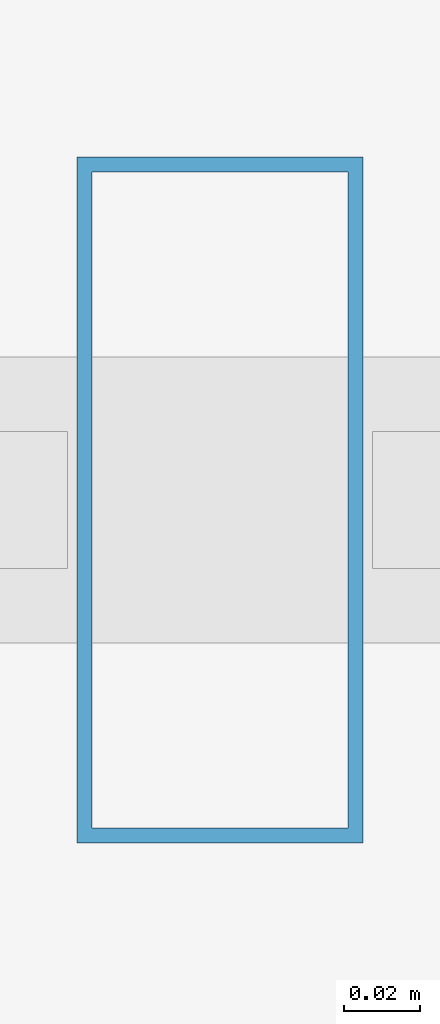
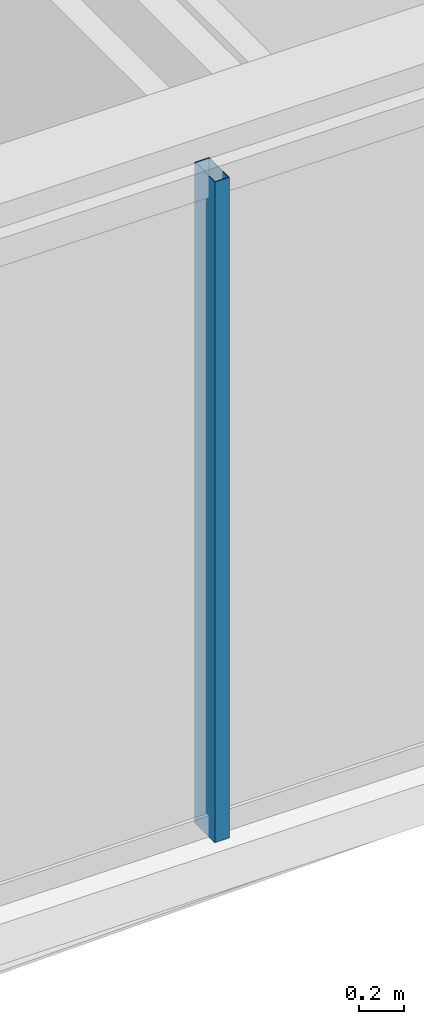
# One storey, part 9 of 33: 1 member, 1 element without a shape of its own.
"""IFC4 building model written with IfcOpenShell, lengths in metres."""

from ifc_helpers import new_model, si_unit, direction, frame, origin, origin_2d, place, context, subcontext, project, spatial, hollow_rectangle, extrude, material, layer, layer_set, material_profile, profile_set, type_object, element, aggregate, save


model = new_model("IFC4")

# Units and contexts
model_context = context("Model", 3, precision=1e-05, world=origin(), true_north=direction((0.0, 1.0)))
body_context = subcontext(model_context, "Body", "Model", "MODEL_VIEW")
ifc_project = project(units=[si_unit("LENGTHUNIT", "METRE"), si_unit("AREAUNIT", "SQUARE_METRE"), si_unit("VOLUMEUNIT", "CUBIC_METRE"), si_unit("PLANEANGLEUNIT", "RADIAN"), si_unit("MASSUNIT", "GRAM", prefix="KILO")], contexts=[model_context])

# Site, building, storey
site_placement = place(None, origin())
site = spatial("IfcSite", under=ifc_project, at=site_placement, CompositionType="ELEMENT")
building_placement = place(site_placement, origin())
building = spatial("IfcBuilding", under=site, at=building_placement, Name="Ndaravel Arena Tower", CompositionType="ELEMENT")
storey_placement = place(building_placement, frame((0.0, 0.0, 165.0)))
storey = spatial("IfcBuildingStorey", under=building, at=storey_placement, Name="L39", CompositionType="ELEMENT", Elevation=165.0)

# Curtain wall, member
ifc_material_1 = material(Name="Aluminium", Category="aluminium")
ifc_layer = layer(ifc_material_1, 0.179931640625)
ifc_layer_set = layer_set([ifc_layer], Name="Aluminium")
curtain_wall_type = type_object("IfcCurtainWallType", Name="CW-SYS-03", PredefinedType="NOTDEFINED", material=ifc_layer_set)
curtain_wall_placement = place(storey_placement, origin())
curtain_wall = element("IfcCurtainWall", 1, at=curtain_wall_placement, inside=storey, type_object=curtain_wall_type, Name="L39 Faceted Crystal Curtain Wall CW-L39-E01", PredefinedType="NOTDEFINED")
ifc_material_2 = material(Name="Aluminium", Category="aluminium")
ifc_material_profile = material_profile(ifc_material_2, hollow_rectangle(XDim=0.074951171875, YDim=0.179931640625, WallThickness=0.00390625, at=origin_2d()), Name="CW MULLION 75x180x4")
ifc_profile_set = profile_set([ifc_material_profile], Name="Aluminium")
member_type = type_object("IfcMemberType", Name="MEM-CW-MUL180", PredefinedType="MULLION", material=ifc_profile_set)
member_placement = place(storey_placement, frame((46.59765625, 5.159912109375, 0.0), z_axis=(0.0, 0.0, 1.0), x_axis=(1.0, 0.0, 0.0)))
member = element("IfcMember", 2, at=member_placement, type_object=member_type, Name="CW-L39-E01 Mullion 05", PredefinedType="MULLION", context=body_context, shape_type="SweptSolid", body=[
    extrude(hollow_rectangle(XDim=0.074951171875, YDim=0.179931640625, WallThickness=0.00390625, at=origin_2d()), origin(), (0.0, 0.0, 1.0), 3.580078125),
])
aggregate(curtain_wall, [member])

save(model, "model.ifc")
